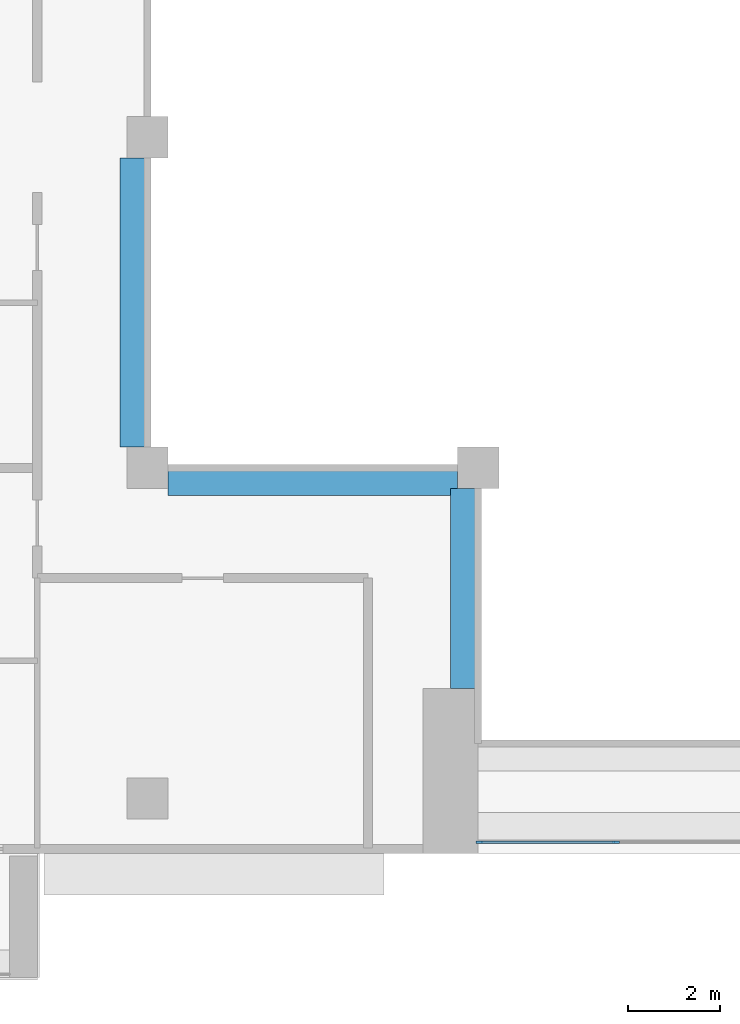
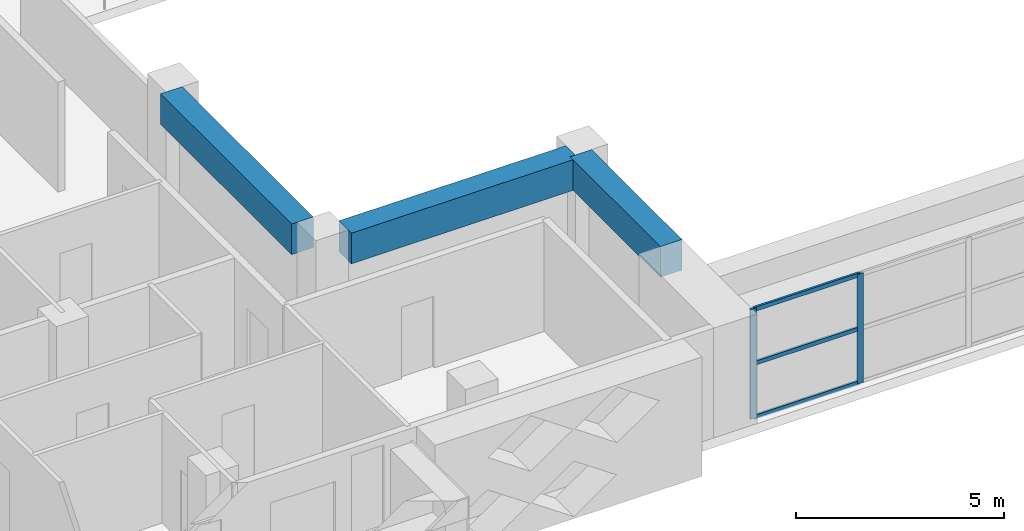
# One storey, part 2 of 19: 5 members, 3 beams, 1 element without a shape of its own.
"""IFC4 building model written with IfcOpenShell, lengths in metres."""

from ifc_helpers import new_model, si_unit, direction, frame, origin, origin_2d, place, context, subcontext, project, spatial, rectangle, extrude, source, transform, mapped, material, layer, layer_set, material_profile, profile_set, type_object, element, aggregate, save


model = new_model("IFC4")

# Units and contexts
model_context = context("Model", 3, precision=1e-05, world=origin(), true_north=direction((0.0, 1.0)))
body_context = subcontext(model_context, "Body", "Model", "MODEL_VIEW")
ifc_project = project(units=[si_unit("LENGTHUNIT", "METRE"), si_unit("AREAUNIT", "SQUARE_METRE"), si_unit("VOLUMEUNIT", "CUBIC_METRE"), si_unit("PLANEANGLEUNIT", "RADIAN"), si_unit("MASSUNIT", "GRAM", prefix="KILO")], contexts=[model_context])

# Site, building, storey
site_placement = place(None, origin())
site = spatial("IfcSite", under=ifc_project, at=site_placement, CompositionType="ELEMENT")
building_placement = place(site_placement, origin())
building = spatial("IfcBuilding", under=site, at=building_placement, Name="Saffron Iwan Residences", CompositionType="ELEMENT")
storey_placement = place(building_placement, frame((0.0, 0.0, 218.5)))
storey = spatial("IfcBuildingStorey", under=building, at=storey_placement, Name="L58", CompositionType="ELEMENT", Elevation=218.5)

# Beams
ifc_material_1 = material(Name="Concrete C40/50", Category="concrete")
ifc_material_profile_1 = material_profile(ifc_material_1, rectangle(XDim=0.60009765625, YDim=0.89990234375, at=origin_2d()), Name="RC 600x900")
ifc_profile_set_1 = profile_set([ifc_material_profile_1], Name="Concrete C40/50")
beam_type = type_object("IfcBeamType", Name="BEAM RC 600x900 C40/50 TOP 3220", PredefinedType="BEAM", material=ifc_profile_set_1)
shared_shape_1 = source(origin(), body_context, "Body", "SweptSolid", [
    extrude(rectangle(XDim=0.60009765625, YDim=0.89990234375, at=origin_2d()), origin(), (0.0, 0.0, 1.0), 4.35009765625),
])
beam_placement = place(storey_placement, frame((42.89990234375, 43.199951171875, 2.77001953125), z_axis=(0.0, 1.0, 0.0), x_axis=(-1.0, 0.0, 0.0)))
element("IfcBeam", 1, at=beam_placement, inside=storey, type_object=beam_type, Name="Atrium edge beam", PredefinedType="BEAM", context=body_context, shape_type="MappedRepresentation", body=[
    mapped(shared_shape_1, transform((0.0, 0.0, 0.0))),
])
shared_shape_2 = source(origin(), body_context, "Body", "SweptSolid", [
    extrude(rectangle(XDim=0.60009765625, YDim=0.89990234375, at=origin_2d()), origin(), (0.0, 0.0, 1.0), 6.300048828125),
])
for number, where, z_axis, x_axis, name in (
    (2, (42.75, 47.699951171875, 2.77001953125), (-1.0, 0.0, 0.0), (0.0, -1.0, 0.0), "Atrium edge beam"),
    (3, (35.699951171875, 48.449951171875, 2.77001953125), (0.0, 1.0, 0.0), (-1.0, 0.0, 0.0), "Atrium edge beam"),
):
    element("IfcBeam", number, at=place(storey_placement, frame(where, z_axis=z_axis, x_axis=x_axis)), inside=storey, type_object=beam_type, Name=name, PredefinedType="BEAM", context=body_context, shape_type="MappedRepresentation", body=[
        mapped(shared_shape_2, transform((0.0, 0.0, 0.0))),
    ])

# Curtain wall, members
ifc_material_2 = material(Name="Clear glass, laminated double glazed", Category="glass")
ifc_layer = layer(ifc_material_2, 0.199951171875)
ifc_layer_set = layer_set([ifc_layer], Name="Clear glass, laminated double glazed")
curtain_wall_type = type_object("IfcCurtainWallType", Name="CW-B IWAN PORTAL", PredefinedType="NOTDEFINED", material=ifc_layer_set)
curtain_wall_placement = place(storey_placement, origin())
curtain_wall = element("IfcCurtainWall", 4, at=curtain_wall_placement, inside=storey, type_object=curtain_wall_type, Name="Iwan portal glazing L58.1", PredefinedType="NOTDEFINED")
ifc_material_3 = material(Name="Aluminium 6063-T6", Category="aluminium")
ifc_material_profile_2 = material_profile(ifc_material_3, rectangle(XDim=0.06005859375, YDim=0.1201171875, at=origin_2d()), Name="CW-B TRANSOM 60 x 120")
ifc_profile_set_2 = profile_set([ifc_material_profile_2], Name="Aluminium 6063-T6")
member_type_1 = type_object("IfcMemberType", Name="CW-B TRANSOM 60 x 120", PredefinedType="USERDEFINED", material=ifc_profile_set_2)
shared_shape_3 = source(origin(), body_context, "Body", "SweptSolid", [
    extrude(rectangle(XDim=0.06005859375, YDim=0.1201171875, at=origin_2d()), origin(), (0.0, 0.0, 1.0), 2.909912109375),
])
member_1_placement = place(storey_placement, frame((43.260009765625, 39.85009765625, 0.030029296875), z_axis=(1.0, 0.0, 0.0), x_axis=(0.0, 1.0, 0.0)))
member_1 = element("IfcMember", 5, at=member_1_placement, type_object=member_type_1, Name="CW-B transom 1.1", ObjectType="TRANSOM", PredefinedType="USERDEFINED", context=body_context, shape_type="MappedRepresentation", body=[
    mapped(shared_shape_3, transform((0.0, 0.0, 0.0))),
])
member_2_placement = place(storey_placement, frame((43.260009765625, 39.85009765625, 1.610107421875), z_axis=(1.0, 0.0, 0.0), x_axis=(0.0, 1.0, 0.0)))
member_2 = element("IfcMember", 6, at=member_2_placement, type_object=member_type_1, Name="CW-B transom 1.2", ObjectType="TRANSOM", PredefinedType="USERDEFINED", context=body_context, shape_type="MappedRepresentation", body=[
    mapped(shared_shape_3, transform((0.0, 0.0, 0.0))),
])
member_3_placement = place(storey_placement, frame((43.260009765625, 39.85009765625, 3.18994140625), z_axis=(1.0, 0.0, 0.0), x_axis=(0.0, 1.0, 0.0)))
member_3 = element("IfcMember", 7, at=member_3_placement, type_object=member_type_1, Name="CW-B transom 1.3", ObjectType="TRANSOM", PredefinedType="USERDEFINED", context=body_context, shape_type="MappedRepresentation", body=[
    mapped(shared_shape_3, transform((0.0, 0.0, 0.0))),
])
ifc_material_profile_3 = material_profile(ifc_material_3, rectangle(XDim=0.06005859375, YDim=0.159912109375, at=origin_2d()), Name="CW-B MULLION 60 x 160")
ifc_profile_set_3 = profile_set([ifc_material_profile_3], Name="Aluminium 6063-T6")
member_type_2 = type_object("IfcMemberType", Name="CW-B MULLION 60 x 160", PredefinedType="MULLION", material=ifc_profile_set_3)
shared_shape_4 = source(origin(), body_context, "Body", "SweptSolid", [
    extrude(rectangle(XDim=0.06005859375, YDim=0.159912109375, at=origin_2d()), origin(), (0.0, 0.0, 1.0), 3.219970703125),
])
member_4_placement = place(storey_placement, frame((43.22998046875, 39.85009765625, 0.0), z_axis=(0.0, 0.0, 1.0), x_axis=(0.0, 1.0, 0.0)))
member_4 = element("IfcMember", 8, at=member_4_placement, type_object=member_type_2, Name="CW-B mullion 1", PredefinedType="MULLION", context=body_context, shape_type="MappedRepresentation", body=[
    mapped(shared_shape_4, transform((0.0, 0.0, 0.0))),
])
member_5_placement = place(storey_placement, frame((46.199951171875, 39.85009765625, 0.0), z_axis=(0.0, 0.0, 1.0), x_axis=(0.0, 1.0, 0.0)))
member_5 = element("IfcMember", 9, at=member_5_placement, type_object=member_type_2, Name="CW-B mullion 2", PredefinedType="MULLION", context=body_context, shape_type="MappedRepresentation", body=[
    mapped(shared_shape_4, transform((0.0, 0.0, 0.0))),
])
aggregate(curtain_wall, [member_4, member_5, member_1, member_2, member_3])

save(model, "model.ifc")
